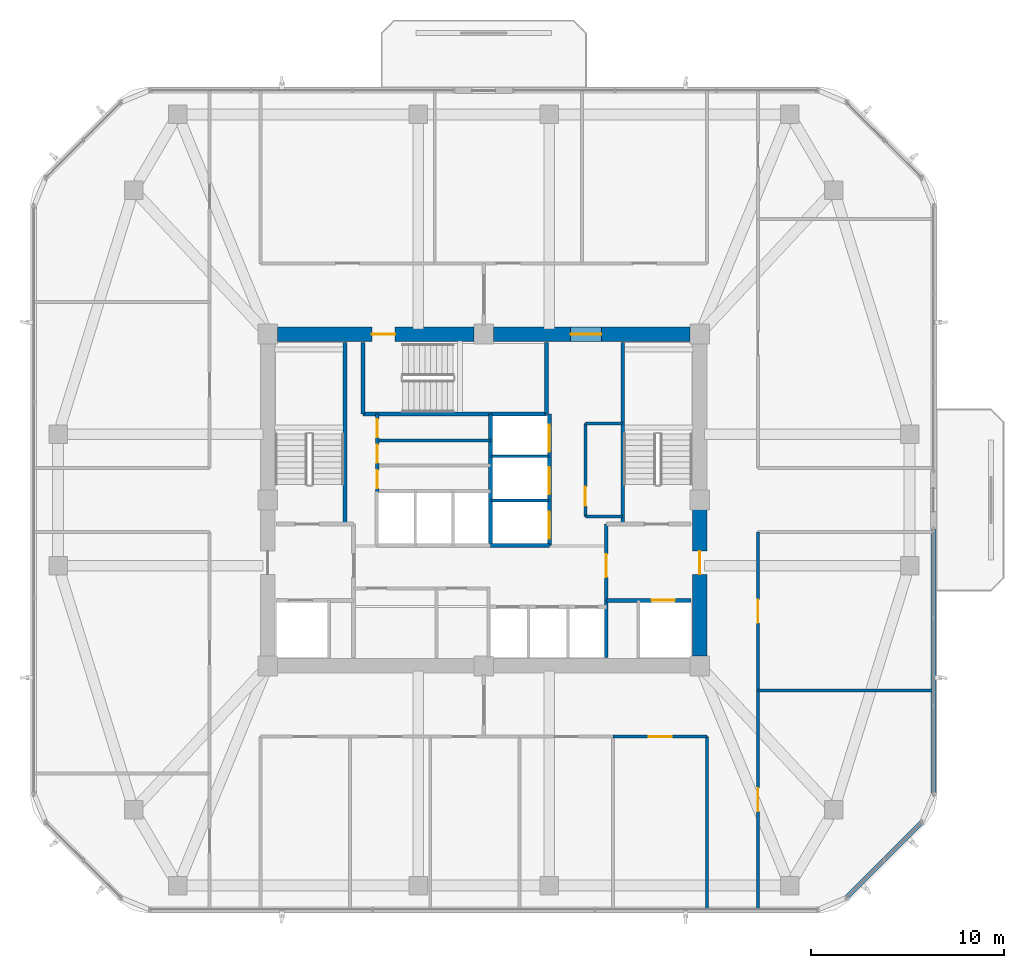
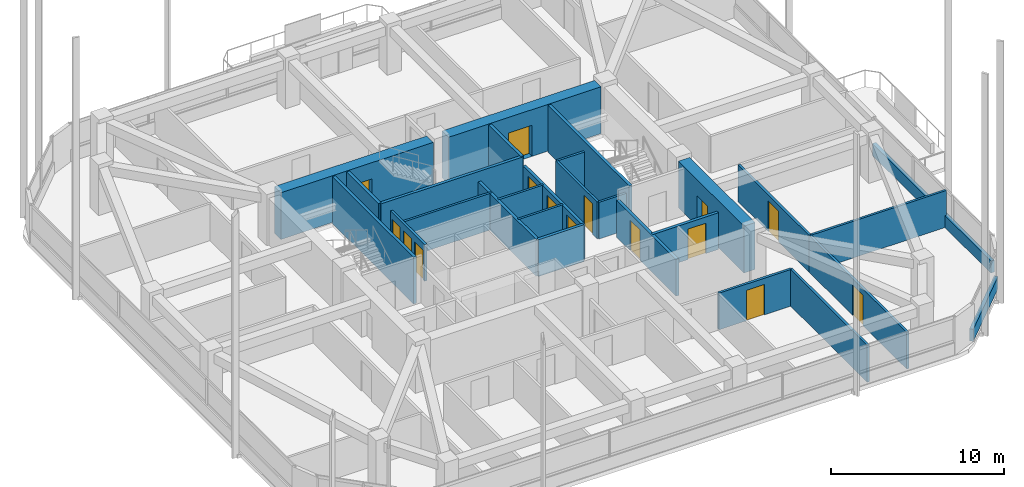
# One storey, part 9 of 14: 27 walls, 15 doors, 15 openings.
"""IFC4 building model written with IfcOpenShell, lengths in metres."""

from ifc_helpers import new_model, si_unit, derived_unit, direction, frame, frame_2d, origin, place, context, subcontext, project, spatial, rectangle, extrude, material, layer, layer_set, type_object, element, fill, save


model = new_model("IFC4")

# Units and contexts
model_context = context("Model", 3, precision=1e-05, world=origin(), true_north=direction((0.0, 1.0)))
body_context = subcontext(model_context, "Body", "Model", "MODEL_VIEW")
ifc_project = project(units=[si_unit("LENGTHUNIT", "METRE"), si_unit("AREAUNIT", "SQUARE_METRE"), si_unit("VOLUMEUNIT", "CUBIC_METRE"), si_unit("PLANEANGLEUNIT", "RADIAN"), si_unit("MASSUNIT", "GRAM", prefix="KILO"), derived_unit("THERMALTRANSMITTANCEUNIT", [(si_unit("POWERUNIT", "WATT"), 1), (si_unit("LENGTHUNIT", "METRE"), -2), (si_unit("THERMODYNAMICTEMPERATUREUNIT", "KELVIN"), -1)])], contexts=[model_context])

# Site, building, storey
site_placement = place(None, origin())
site = spatial("IfcSite", under=ifc_project, at=site_placement, CompositionType="ELEMENT")
building_placement = place(site_placement, origin())
building = spatial("IfcBuilding", under=site, at=building_placement, Name="Koralith Skygarden Medical Center", CompositionType="ELEMENT")
storey_placement = place(building_placement, frame((0.0, 0.0, 174.419921875)))
storey = spatial("IfcBuildingStorey", under=building, at=storey_placement, Name="L45", CompositionType="ELEMENT", Elevation=174.419921875)

# Wall, opening, door
ifc_material_1 = material(Name="Gypsum Board Partition")
ifc_layer_1 = layer(ifc_material_1, 0.14990234375)
ifc_layer_set_1 = layer_set([ifc_layer_1], Name="Gypsum Board Partition")
wall_type_1 = type_object("IfcWallType", Name="Clinical Acoustic Partition 150", PredefinedType="PARTITIONING", material=ifc_layer_set_1)
wall_1_placement = place(storey_placement, frame((42.27001953125, 25.0400390625, 0.0), z_axis=(0.0, 0.0, 1.0), x_axis=(0.0, 1.0, 0.0)))
wall_1 = element("IfcWall", 1, at=wall_1_placement, inside=storey, type_object=wall_type_1, Name="L45 Clinical Acoustic Partition 150 W-CORE-L45-ESUB-W", PredefinedType="PARTITIONING", context=body_context, shape_type="SweptSolid", body=[
    extrude(rectangle(XDim=4.820068359375, YDim=0.14990234375, at=frame_2d((2.41015625, 0.0))), origin(), (0.0, 0.0, 1.0), 2.590087890625),
])
opening_1_placement = place(wall_1_placement, frame((0.550048828125, 0.0, 0.0)))
opening_1 = element("IfcOpeningElement", 2, at=opening_1_placement, cuts=wall_1, Name="Opening D-SUP", PredefinedType="OPENING", context=body_context, shape_type="SweptSolid", body=[
    extrude(rectangle(XDim=1.0, YDim=2.14990234375, at=frame_2d((0.5, 1.074951171875))), frame((0.0, 0.0849609375, 0.0), z_axis=(0.0, -1.0, 0.0), x_axis=(1.0, 0.0, 0.0)), (0.0, 0.0, 1.0), 0.169921875),
])
ifc_material_2 = material(Name="Aluminium 6063-T6", Category="aluminium")
door_type_1 = type_object("IfcDoorType", Name="Clinical Support Door D-SUP 1000", OperationType="NOTDEFINED", PredefinedType="DOOR", material=ifc_material_2)
door_1_placement = place(opening_1_placement, origin())
door_1 = element("IfcDoor", 3, at=door_1_placement, inside=storey, type_object=door_type_1, Name="L45 Core Equipment Store Door", OperationType="SINGLE_SWING_LEFT", OverallHeight=2.14990234375, OverallWidth=1.0, PredefinedType="DOOR", context=body_context, shape_type="SweptSolid", body=[
    extrude(rectangle(XDim=1.0, YDim=2.14990234375, at=frame_2d((0.5, 1.074951171875))), frame((0.0, 0.02490234375, 0.0), z_axis=(0.0, -1.0, 0.0), x_axis=(1.0, 0.0, 0.0)), (0.0, 0.0, 1.0), 0.050048828125),
])
fill(opening_1, door_1)

# Walls
for number, where, z_axis, x_axis, name in (
    (4, (42.27001953125, 25.0400390625, 0.0), (0.0, 0.0, 1.0), (1.0, 0.0, 0.0), "L45 Clinical Acoustic Partition 150 W-CORE-L45-ESUB-S"),
    (5, (42.27001953125, 29.860107421875, 0.0), (0.0, 0.0, 1.0), (1.0, 0.0, 0.0), "L45 Clinical Acoustic Partition 150 W-CORE-L45-ESUB-N"),
):
    element("IfcWall", number, at=place(storey_placement, frame(where, z_axis=z_axis, x_axis=x_axis)), inside=storey, type_object=wall_type_1, Name=name, PredefinedType="PARTITIONING", context=body_context, shape_type="SweptSolid", body=[
        extrude(rectangle(XDim=1.929931640625, YDim=0.14990234375, at=frame_2d((0.96484375, 0.0))), origin(), (0.0, 0.0, 1.0), 2.590087890625),
    ])
wall_2_placement = place(storey_placement, frame((31.47998046875, 28.97998046875, 0.0), z_axis=(0.0, 0.0, 1.0), x_axis=(1.0, 0.0, 0.0)))
element("IfcWall", 6, at=wall_2_placement, inside=storey, type_object=wall_type_1, Name="L45 Clinical Acoustic Partition 150 W-CORE-L45-FLEX-H1B", PredefinedType="PARTITIONING", context=body_context, shape_type="SweptSolid", body=[
    extrude(rectangle(XDim=5.89013671875, YDim=0.14990234375, at=frame_2d((2.945068359375, 0.0))), origin(), (0.0, 0.0, 1.0), 2.590087890625),
])
wall_3_placement = place(storey_placement, frame((51.2099609375, 16.032958984375, 0.0), z_axis=(0.0, 0.0, 1.0), x_axis=(1.0, 0.0, 0.0)))
element("IfcWall", 7, at=wall_3_placement, inside=storey, type_object=wall_type_1, Name="L45 Clinical Acoustic Partition 150 W-PART-L45-ES-01", PredefinedType="PARTITIONING", context=body_context, shape_type="SweptSolid", body=[
    extrude(rectangle(XDim=9.073974609375, YDim=0.14990234375, at=frame_2d((4.537109375, 0.0))), origin(), (0.0, 0.0, 1.0), 2.590087890625),
])
ifc_layer_2 = layer(ifc_material_1, 0.1650390625)
ifc_layer_set_2 = layer_set([ifc_layer_2], Name="Gypsum Board Partition")
wall_type_2 = type_object("IfcWallType", Name="Clinical Corridor Partition 165", PredefinedType="PARTITIONING", material=ifc_layer_set_2)
wall_4_placement = place(storey_placement, frame((48.570068359375, 4.699951171875, 0.0), z_axis=(0.0, 0.0, 1.0), x_axis=(0.0, 1.0, 0.0)))
element("IfcWall", 8, at=wall_4_placement, inside=storey, type_object=wall_type_2, Name="L45 Clinical Corridor Partition 165 W-HCOR-L45-SE", PredefinedType="PARTITIONING", context=body_context, shape_type="SweptSolid", body=[
    extrude(rectangle(XDim=8.93994140625, YDim=0.1650390625, at=frame_2d((4.469970703125, 0.0))), origin(), (0.0, 0.0, 1.0), 2.590087890625),
])

# Wall, opening, door
wall_5_placement = place(storey_placement, frame((43.705078125, 13.639892578125, 0.0), z_axis=(0.0, 0.0, 1.0), x_axis=(1.0, 0.0, 0.0)))
wall_5 = element("IfcWall", 9, at=wall_5_placement, inside=storey, type_object=wall_type_2, Name="L45 Clinical Corridor Partition 165 W-CORR-L45-S-05", PredefinedType="PARTITIONING", context=body_context, shape_type="SweptSolid", body=[
    extrude(rectangle(XDim=4.864990234375, YDim=0.1650390625, at=frame_2d((2.4326171875, 0.0))), origin(), (0.0, 0.0, 1.0), 2.590087890625),
])
opening_2_placement = place(wall_5_placement, frame((1.8330078125, 0.0, 0.0)))
opening_2 = element("IfcOpeningElement", 10, at=opening_2_placement, cuts=wall_5, Name="Opening D-CLN", PredefinedType="OPENING", context=body_context, shape_type="SweptSolid", body=[
    extrude(rectangle(XDim=1.199951171875, YDim=2.14990234375, at=frame_2d((0.60009765625, 1.074951171875))), frame((0.0, 0.092529296875, 0.0), z_axis=(0.0, -1.0, 0.0), x_axis=(1.0, 0.0, 0.0)), (0.0, 0.0, 1.0), 0.18505859375),
])
door_type_2 = type_object("IfcDoorType", Name="Clinical Corridor Door D-CLN 1200", OperationType="NOTDEFINED", PredefinedType="DOOR", material=ifc_material_2)
door_2_placement = place(opening_2_placement, frame((1.199951171875, 0.0, 0.0), z_axis=(0.0, 0.0, 1.0), x_axis=(-1.0, 0.0, 0.0)))
door_2 = element("IfcDoor", 11, at=door_2_placement, inside=storey, type_object=door_type_2, Name="L45 Sterile Pack Store 08 Door", OperationType="SINGLE_SWING_LEFT", OverallHeight=2.14990234375, OverallWidth=1.199951171875, PredefinedType="DOOR", context=body_context, shape_type="SweptSolid", body=[
    extrude(rectangle(XDim=1.199951171875, YDim=2.14990234375, at=frame_2d((0.60009765625, 1.074951171875))), frame((0.0, 0.02490234375, 0.0), z_axis=(0.0, -1.0, 0.0), x_axis=(1.0, 0.0, 0.0)), (0.0, 0.0, 1.0), 0.050048828125),
])
fill(opening_2, door_2)

wall_6_placement = place(storey_placement, frame((51.2099609375, 4.699951171875, 0.0), z_axis=(0.0, 0.0, 1.0), x_axis=(0.0, 1.0, 0.0)))
wall_6 = element("IfcWall", 12, at=wall_6_placement, inside=storey, type_object=wall_type_2, Name="L45 Clinical Corridor Partition 165 W-CORR-L45-ES-01", PredefinedType="PARTITIONING", context=body_context, shape_type="SweptSolid", body=[
    extrude(rectangle(XDim=11.3330078125, YDim=0.1650390625, at=frame_2d((5.66650390625, 0.0))), origin(), (0.0, 0.0, 1.0), 2.590087890625),
])
opening_3_placement = place(wall_6_placement, frame((5.06689453125, 0.0, 0.0)))
opening_3 = element("IfcOpeningElement", 13, at=opening_3_placement, cuts=wall_6, Name="Opening D-CLN", PredefinedType="OPENING", context=body_context, shape_type="SweptSolid", body=[
    extrude(rectangle(XDim=1.199951171875, YDim=2.14990234375, at=frame_2d((0.60009765625, 1.074951171875))), frame((0.0, 0.092529296875, 0.0), z_axis=(0.0, -1.0, 0.0), x_axis=(1.0, 0.0, 0.0)), (0.0, 0.0, 1.0), 0.18505859375),
])
door_3_placement = place(opening_3_placement, origin())
door_3 = element("IfcDoor", 14, at=door_3_placement, inside=storey, type_object=door_type_2, Name="L45 Chief Resident Office 13 Door", OperationType="SINGLE_SWING_RIGHT", OverallHeight=2.14990234375, OverallWidth=1.199951171875, PredefinedType="DOOR", context=body_context, shape_type="SweptSolid", body=[
    extrude(rectangle(XDim=1.199951171875, YDim=2.14990234375, at=frame_2d((0.60009765625, 1.074951171875))), frame((0.0, 0.02490234375, 0.0), z_axis=(0.0, -1.0, 0.0), x_axis=(1.0, 0.0, 0.0)), (0.0, 0.0, 1.0), 0.050048828125),
])
fill(opening_3, door_3)

wall_7_placement = place(storey_placement, frame((51.2099609375, 16.032958984375, 0.0), z_axis=(0.0, 0.0, 1.0), x_axis=(0.0, 1.0, 0.0)))
wall_7 = element("IfcWall", 15, at=wall_7_placement, inside=storey, type_object=wall_type_2, Name="L45 Clinical Corridor Partition 165 W-CORR-L45-ES-02", PredefinedType="PARTITIONING", context=body_context, shape_type="SweptSolid", body=[
    extrude(rectangle(XDim=8.20703125, YDim=0.1650390625, at=frame_2d((4.103515625, 0.0))), origin(), (0.0, 0.0, 1.0), 2.590087890625),
])
opening_4_placement = place(wall_7_placement, frame((3.5029296875, 0.0, 0.0)))
opening_4 = element("IfcOpeningElement", 16, at=opening_4_placement, cuts=wall_7, Name="Opening D-CLN", PredefinedType="OPENING", context=body_context, shape_type="SweptSolid", body=[
    extrude(rectangle(XDim=1.199951171875, YDim=2.14990234375, at=frame_2d((0.60009765625, 1.074951171875))), frame((0.0, 0.092529296875, 0.0), z_axis=(0.0, -1.0, 0.0), x_axis=(1.0, 0.0, 0.0)), (0.0, 0.0, 1.0), 0.18505859375),
])
door_4_placement = place(opening_4_placement, origin())
door_4 = element("IfcDoor", 17, at=door_4_placement, inside=storey, type_object=door_type_2, Name="L45 Surgical Morbidity Seminar Room 14 Door", OperationType="SINGLE_SWING_LEFT", OverallHeight=2.14990234375, OverallWidth=1.199951171875, PredefinedType="DOOR", context=body_context, shape_type="SweptSolid", body=[
    extrude(rectangle(XDim=1.199951171875, YDim=2.14990234375, at=frame_2d((0.60009765625, 1.074951171875))), frame((0.0, 0.02490234375, 0.0), z_axis=(0.0, -1.0, 0.0), x_axis=(1.0, 0.0, 0.0)), (0.0, 0.0, 1.0), 0.050048828125),
])
fill(opening_4, door_4)

ifc_layer_3 = layer(ifc_material_1, 0.199951171875)
ifc_layer_set_3 = layer_set([ifc_layer_3], Name="Gypsum Board Partition")
wall_type_3 = type_object("IfcWallType", Name="Fire Shaft Wall 200", PredefinedType="SOLIDWALL", material=ifc_layer_set_3)
wall_8_placement = place(storey_placement, frame((43.35009765625, 20.699951171875, 0.0), z_axis=(0.0, 0.0, 1.0), x_axis=(1.0, 0.0, 0.0)))
wall_8 = element("IfcWall", 18, at=wall_8_placement, inside=storey, type_object=wall_type_3, Name="L45 Fire Shaft Wall 200 W-CORE-L45-FF2-N", PredefinedType="SOLIDWALL", context=body_context, shape_type="SweptSolid", body=[
    extrude(rectangle(XDim=4.39990234375, YDim=0.199951171875, at=frame_2d((2.199951171875, 0.0))), origin(), (0.0, 0.0, 1.0), 2.590087890625),
])
opening_5_placement = place(wall_8_placement, frame((2.35009765625, 0.0, 0.0)))
opening_5 = element("IfcOpeningElement", 19, at=opening_5_placement, cuts=wall_8, Name="Opening LD-FF", PredefinedType="OPENING", context=body_context, shape_type="SweptSolid", body=[
    extrude(rectangle(XDim=1.199951171875, YDim=2.14990234375, at=frame_2d((0.60009765625, 1.074951171875))), frame((0.0, 0.10986328125, 0.0), z_axis=(0.0, -1.0, 0.0), x_axis=(1.0, 0.0, 0.0)), (0.0, 0.0, 1.0), 0.219970703125),
])
ifc_material_3 = material(Name="Steel ASTM A500 Grade C", Category="steel")
door_type_3 = type_object("IfcDoorType", Name="Fire Lift Sliding Landing Door LD-FF 1200", OperationType="NOTDEFINED", PredefinedType="DOOR", material=ifc_material_3)
door_5_placement = place(opening_5_placement, origin())
door_5 = element("IfcDoor", 20, at=door_5_placement, inside=storey, type_object=door_type_3, Name="L45 Fire Service Elevator FF2 Landing Door", OperationType="SLIDING_TO_RIGHT", OverallHeight=2.14990234375, OverallWidth=1.199951171875, PredefinedType="DOOR", context=body_context, shape_type="SweptSolid", body=[
    extrude(rectangle(XDim=1.199951171875, YDim=2.14990234375, at=frame_2d((0.60009765625, 1.074951171875))), frame((0.0, 0.02490234375, 0.0), z_axis=(0.0, -1.0, 0.0), x_axis=(1.0, 0.0, 0.0)), (0.0, 0.0, 1.0), 0.050048828125),
])
fill(opening_5, door_5)

wall_9_placement = place(storey_placement, frame((43.35009765625, 17.75, 0.0), z_axis=(0.0, 0.0, 1.0), x_axis=(0.0, 1.0, 0.0)))
wall_9 = element("IfcWall", 21, at=wall_9_placement, inside=storey, type_object=wall_type_3, Name="L45 Fire Shaft Wall 200 W-CORE-L45-FSAEE-W", PredefinedType="SOLIDWALL", context=body_context, shape_type="SweptSolid", body=[
    extrude(rectangle(XDim=6.89990234375, YDim=0.199951171875, at=frame_2d((3.449951171875, 0.0))), origin(), (0.0, 0.0, 1.0), 2.590087890625),
])
opening_6_placement = place(wall_9_placement, frame((4.14990234375, 0.0, 0.0)))
opening_6 = element("IfcOpeningElement", 22, at=opening_6_placement, cuts=wall_9, Name="Opening D-ST60", PredefinedType="OPENING", context=body_context, shape_type="SweptSolid", body=[
    extrude(rectangle(XDim=1.199951171875, YDim=2.14990234375, at=frame_2d((0.60009765625, 1.074951171875))), frame((0.0, 0.10986328125, 0.0), z_axis=(0.0, -1.0, 0.0), x_axis=(1.0, 0.0, 0.0)), (0.0, 0.0, 1.0), 0.219970703125),
])
door_type_4 = type_object("IfcDoorType", Name="Smokeproof Stair Fire Door FD60S 1200", OperationType="NOTDEFINED", PredefinedType="DOOR", material=ifc_material_3)
door_6_placement = place(opening_6_placement, frame((1.199951171875, 0.0, 0.0), z_axis=(0.0, 0.0, 1.0), x_axis=(-1.0, 0.0, 0.0)))
door_6 = element("IfcDoor", 23, at=door_6_placement, inside=storey, type_object=door_type_4, Name="L45 East Firefighting Lobby Inner Fire Door", OperationType="SINGLE_SWING_RIGHT", OverallHeight=2.14990234375, OverallWidth=1.199951171875, PredefinedType="DOOR", context=body_context, shape_type="SweptSolid", body=[
    extrude(rectangle(XDim=1.199951171875, YDim=2.14990234375, at=frame_2d((0.60009765625, 1.074951171875))), frame((0.0, 0.02490234375, 0.0), z_axis=(0.0, -1.0, 0.0), x_axis=(1.0, 0.0, 0.0)), (0.0, 0.0, 1.0), 0.050048828125),
])
fill(opening_6, door_6)

# Walls
wall_10_placement = place(storey_placement, frame((37.35009765625, 23.5400390625, 0.0), z_axis=(0.0, 0.0, 1.0), x_axis=(0.0, 1.0, 0.0)))
element("IfcWall", 24, at=wall_10_placement, inside=storey, type_object=wall_type_3, Name="L45 Fire Shaft Wall 200 W-CORE-L45-SV-W", PredefinedType="SOLIDWALL", context=body_context, shape_type="SweptSolid", body=[
    extrude(rectangle(XDim=6.820068359375, YDim=0.199951171875, at=frame_2d((3.41015625, 0.0))), origin(), (0.0, 0.0, 1.0), 2.590087890625),
])
wall_11_placement = place(storey_placement, frame((37.35009765625, 23.5400390625, 0.0), z_axis=(0.0, 0.0, 1.0), x_axis=(1.0, 0.0, 0.0)))
element("IfcWall", 25, at=wall_11_placement, inside=storey, type_object=wall_type_3, Name="L45 Fire Shaft Wall 200 W-CORE-L45-SV-S", PredefinedType="SOLIDWALL", context=body_context, shape_type="SweptSolid", body=[
    extrude(rectangle(XDim=3.0498046875, YDim=0.199951171875, at=frame_2d((1.52490234375, 0.0))), origin(), (0.0, 0.0, 1.0), 2.590087890625),
])

# Wall, openings, doors
wall_12_placement = place(storey_placement, frame((40.39990234375, 23.5400390625, 0.0), z_axis=(0.0, 0.0, 1.0), x_axis=(0.0, 1.0, 0.0)))
wall_12 = element("IfcWall", 26, at=wall_12_placement, inside=storey, type_object=wall_type_3, Name="L45 Fire Shaft Wall 200 W-CORE-L45-SV-E", PredefinedType="SOLIDWALL", context=body_context, shape_type="SweptSolid", body=[
    extrude(rectangle(XDim=6.820068359375, YDim=0.199951171875, at=frame_2d((3.41015625, 0.0))), origin(), (0.0, 0.0, 1.0), 2.590087890625),
])
opening_7_placement = place(wall_12_placement, frame((0.35009765625, 0.0, 0.0)))
opening_7 = element("IfcOpeningElement", 27, at=opening_7_placement, cuts=wall_12, Name="Opening LD-SV", PredefinedType="OPENING", context=body_context, shape_type="SweptSolid", body=[
    extrude(rectangle(XDim=1.39990234375, YDim=2.199951171875, at=frame_2d((0.699951171875, 1.10009765625))), frame((0.0, 0.10986328125, 0.0), z_axis=(0.0, -1.0, 0.0), x_axis=(1.0, 0.0, 0.0)), (0.0, 0.0, 1.0), 0.219970703125),
])
opening_8_placement = place(wall_12_placement, frame((2.64990234375, 0.0, 0.0)))
opening_8 = element("IfcOpeningElement", 28, at=opening_8_placement, cuts=wall_12, Name="Opening LD-SV", PredefinedType="OPENING", context=body_context, shape_type="SweptSolid", body=[
    extrude(rectangle(XDim=1.39990234375, YDim=2.199951171875, at=frame_2d((0.699951171875, 1.10009765625))), frame((0.0, 0.10986328125, 0.0), z_axis=(0.0, -1.0, 0.0), x_axis=(1.0, 0.0, 0.0)), (0.0, 0.0, 1.0), 0.219970703125),
])
opening_9_placement = place(wall_12_placement, frame((4.85009765625, 0.0, 0.0)))
opening_9 = element("IfcOpeningElement", 29, at=opening_9_placement, cuts=wall_12, Name="Opening LD-SV", PredefinedType="OPENING", context=body_context, shape_type="SweptSolid", body=[
    extrude(rectangle(XDim=1.39990234375, YDim=2.199951171875, at=frame_2d((0.699951171875, 1.10009765625))), frame((0.0, 0.10986328125, 0.0), z_axis=(0.0, -1.0, 0.0), x_axis=(1.0, 0.0, 0.0)), (0.0, 0.0, 1.0), 0.219970703125),
])
door_type_5 = type_object("IfcDoorType", Name="Bed Lift Sliding Landing Door LD-SV 1400", OperationType="NOTDEFINED", PredefinedType="DOOR", material=ifc_material_3)
door_7_placement = place(opening_7_placement, origin())
door_7 = element("IfcDoor", 30, at=door_7_placement, inside=storey, type_object=door_type_5, Name="L45 Bed Elevator BD1 Landing Door", OperationType="SLIDING_TO_LEFT", OverallHeight=2.199951171875, OverallWidth=1.39990234375, PredefinedType="DOOR", context=body_context, shape_type="SweptSolid", body=[
    extrude(rectangle(XDim=1.39990234375, YDim=2.199951171875, at=frame_2d((0.699951171875, 1.10009765625))), frame((0.0, 0.02490234375, 0.0), z_axis=(0.0, -1.0, 0.0), x_axis=(1.0, 0.0, 0.0)), (0.0, 0.0, 1.0), 0.050048828125),
])
fill(opening_7, door_7)
door_8_placement = place(opening_8_placement, origin())
door_8 = element("IfcDoor", 31, at=door_8_placement, inside=storey, type_object=door_type_5, Name="L45 Service Elevator BD2 Landing Door", OperationType="SLIDING_TO_LEFT", OverallHeight=2.199951171875, OverallWidth=1.39990234375, PredefinedType="DOOR", context=body_context, shape_type="SweptSolid", body=[
    extrude(rectangle(XDim=1.39990234375, YDim=2.199951171875, at=frame_2d((0.699951171875, 1.10009765625))), frame((0.0, 0.02490234375, 0.0), z_axis=(0.0, -1.0, 0.0), x_axis=(1.0, 0.0, 0.0)), (0.0, 0.0, 1.0), 0.050048828125),
])
fill(opening_8, door_8)
door_9_placement = place(opening_9_placement, origin())
door_9 = element("IfcDoor", 32, at=door_9_placement, inside=storey, type_object=door_type_5, Name="L45 Trauma Elevator TR1 Landing Door", OperationType="SLIDING_TO_RIGHT", OverallHeight=2.199951171875, OverallWidth=1.39990234375, PredefinedType="DOOR", context=body_context, shape_type="SweptSolid", body=[
    extrude(rectangle(XDim=1.39990234375, YDim=2.199951171875, at=frame_2d((0.699951171875, 1.10009765625))), frame((0.0, 0.02490234375, 0.0), z_axis=(0.0, -1.0, 0.0), x_axis=(1.0, 0.0, 0.0)), (0.0, 0.0, 1.0), 0.050048828125),
])
fill(opening_9, door_9)

# Walls
ifc_material_4 = material(Name="Warm Oolitic Limestone Cladding", Category="masonry")
ifc_layer_4 = layer(ifc_material_4, 0.239990234375)
ifc_layer_set_4 = layer_set([ifc_layer_4], Name="Warm Oolitic Limestone Cladding")
wall_type_4 = type_object("IfcWallType", Name="Limestone Spandrel Sill Backup Wall 240", PredefinedType="SOLIDWALL", material=ifc_layer_set_4)
wall_13_placement = place(storey_placement, frame((55.780029296875, 5.281005859375, 0.0), z_axis=(0.0, 0.0, 1.0), x_axis=(0.707084777957, 0.707128783731, 0.0)))
element("IfcWall", 33, at=wall_13_placement, inside=storey, type_object=wall_type_4, Name="L45 Sill Spandrel SE", PredefinedType="SOLIDWALL", context=body_context, shape_type="SweptSolid", body=[
    extrude(rectangle(XDim=5.5478515625, YDim=0.239990234375, at=frame_2d((2.77392578125, 0.0))), origin(), (0.0, 0.0, 1.0), 0.85009765625),
])
wall_14_placement = place(storey_placement, frame((60.303955078125, 10.655029296875, 0.0), z_axis=(0.0, 0.0, 1.0), x_axis=(0.0, 1.0, 0.0)))
element("IfcWall", 34, at=wall_14_placement, inside=storey, type_object=wall_type_4, Name="L45 Sill Spandrel E-L", PredefinedType="SOLIDWALL", context=body_context, shape_type="SweptSolid", body=[
    extrude(rectangle(XDim=13.705078125, YDim=0.239990234375, at=frame_2d((6.8525390625, 0.0))), origin(), (0.0, 0.0, 1.0), 0.85009765625),
])

# Wall, opening, door
ifc_material_5 = material(Name="Concrete C70/85", Category="concrete")
ifc_layer_5 = layer(ifc_material_5, 0.75)
ifc_layer_set_5 = layer_set([ifc_layer_5], Name="Concrete C70/85")
wall_type_5 = type_object("IfcWallType", Name="Mid Core Shear Wall 750", PredefinedType="SHEAR", material=ifc_layer_set_5)
wall_15_placement = place(storey_placement, frame((48.199951171875, 17.804931640625, 0.0), z_axis=(0.0, 0.0, 1.0), x_axis=(0.0, 1.0, 0.0)))
wall_15 = element("IfcWall", 35, at=wall_15_placement, inside=storey, type_object=wall_type_5, Name="L45 Core Shear Wall Segment 3", PredefinedType="SHEAR", context=body_context, shape_type="SweptSolid", body=[
    extrude(rectangle(XDim=7.590087890625, YDim=0.75, at=frame_2d((3.794921875, 0.0))), origin(), (0.0, 0.0, 1.0), 3.300048828125),
])
opening_10_placement = place(wall_15_placement, frame((4.2451171875, 0.0, 0.0)))
opening_10 = element("IfcOpeningElement", 36, at=opening_10_placement, cuts=wall_15, Name="Opening D-ST60", PredefinedType="OPENING", context=body_context, shape_type="SweptSolid", body=[
    extrude(rectangle(XDim=1.199951171875, YDim=2.14990234375, at=frame_2d((0.60009765625, 1.074951171875))), frame((0.0, 0.385009765625, 0.0), z_axis=(0.0, -1.0, 0.0), x_axis=(1.0, 0.0, 0.0)), (0.0, 0.0, 1.0), 0.77001953125),
])
door_10_placement = place(opening_10_placement, frame((1.199951171875, 0.0, 0.0), z_axis=(0.0, 0.0, 1.0), x_axis=(-1.0, 0.0, 0.0)))
door_10 = element("IfcDoor", 37, at=door_10_placement, inside=storey, type_object=door_type_4, Name="L45 East Corridor to Firefighting Lobby Door", OperationType="SINGLE_SWING_RIGHT", OverallHeight=2.14990234375, OverallWidth=1.199951171875, PredefinedType="DOOR", context=body_context, shape_type="SweptSolid", body=[
    extrude(rectangle(XDim=1.199951171875, YDim=2.14990234375, at=frame_2d((0.60009765625, 1.074951171875))), frame((0.0, 0.02490234375, 0.0), z_axis=(0.0, -1.0, 0.0), x_axis=(1.0, 0.0, 0.0)), (0.0, 0.0, 1.0), 0.050048828125),
])
fill(opening_10, door_10)

wall_16_placement = place(storey_placement, frame((47.695068359375, 34.5, 0.0), z_axis=(0.0, 0.0, 1.0), x_axis=(-1.0, 0.0, 0.0)))
wall_16 = element("IfcWall", 38, at=wall_16_placement, inside=storey, type_object=wall_type_5, Name="L45 Core Shear Wall Segment 5", PredefinedType="SHEAR", context=body_context, shape_type="SweptSolid", body=[
    extrude(rectangle(XDim=10.190185546875, YDim=0.75, at=frame_2d((5.09521484375, 0.0))), origin(), (0.0, 0.0, 1.0), 3.300048828125),
])
opening_11_placement = place(wall_16_placement, frame((4.594970703125, 0.0, 0.0)))
opening_11 = element("IfcOpeningElement", 39, at=opening_11_placement, cuts=wall_16, Name="Opening D-DBL", PredefinedType="OPENING", context=body_context, shape_type="SweptSolid", body=[
    extrude(rectangle(XDim=1.60009765625, YDim=2.199951171875, at=frame_2d((0.800048828125, 1.10009765625))), frame((0.0, 0.385009765625, 0.0), z_axis=(0.0, -1.0, 0.0), x_axis=(1.0, 0.0, 0.0)), (0.0, 0.0, 1.0), 0.77001953125),
])
door_type_6 = type_object("IfcDoorType", Name="Double Clinical Suite Door D-DBL 1600", OperationType="NOTDEFINED", PredefinedType="DOOR", material=ifc_material_2)
door_11_placement = place(opening_11_placement, frame((1.60009765625, 0.0, 0.0), z_axis=(0.0, 0.0, 1.0), x_axis=(-1.0, 0.0, 0.0)))
door_11 = element("IfcDoor", 40, at=door_11_placement, inside=storey, type_object=door_type_6, Name="L45 North-East Corridor to Elevator Lobby Door", OperationType="DOUBLE_DOOR_SINGLE_SWING", OverallHeight=2.199951171875, OverallWidth=1.60009765625, PredefinedType="DOOR", context=body_context, shape_type="SweptSolid", body=[
    extrude(rectangle(XDim=1.60009765625, YDim=2.199951171875, at=frame_2d((0.800048828125, 1.10009765625))), frame((0.0, 0.02490234375, 0.0), z_axis=(0.0, -1.0, 0.0), x_axis=(1.0, 0.0, 0.0)), (0.0, 0.0, 1.0), 0.050048828125),
])
fill(opening_11, door_11)

wall_17_placement = place(storey_placement, frame((36.4951171875, 34.5, 0.0), z_axis=(0.0, 0.0, 1.0), x_axis=(-1.0, 0.0, 0.0)))
wall_17 = element("IfcWall", 41, at=wall_17_placement, inside=storey, type_object=wall_type_5, Name="L45 Core Shear Wall Segment 6", PredefinedType="SHEAR", context=body_context, shape_type="SweptSolid", body=[
    extrude(rectangle(XDim=10.190185546875, YDim=0.75, at=frame_2d((5.09521484375, 0.0))), origin(), (0.0, 0.0, 1.0), 3.300048828125),
])
opening_12_placement = place(wall_17_placement, frame((4.094970703125, 0.0, 0.0)))
opening_12 = element("IfcOpeningElement", 42, at=opening_12_placement, cuts=wall_17, Name="Opening D-ST60", PredefinedType="OPENING", context=body_context, shape_type="SweptSolid", body=[
    extrude(rectangle(XDim=1.199951171875, YDim=2.14990234375, at=frame_2d((0.60009765625, 1.074951171875))), frame((0.0, 0.385009765625, 0.0), z_axis=(0.0, -1.0, 0.0), x_axis=(1.0, 0.0, 0.0)), (0.0, 0.0, 1.0), 0.77001953125),
])
door_12_placement = place(opening_12_placement, frame((1.199951171875, 0.0, 0.0), z_axis=(0.0, 0.0, 1.0), x_axis=(-1.0, 0.0, 0.0)))
door_12 = element("IfcDoor", 43, at=door_12_placement, inside=storey, type_object=door_type_4, Name="L45 Exit Stair ST3 Fire Door", OperationType="SINGLE_SWING_LEFT", OverallHeight=2.14990234375, OverallWidth=1.199951171875, PredefinedType="DOOR", context=body_context, shape_type="SweptSolid", body=[
    extrude(rectangle(XDim=1.199951171875, YDim=2.14990234375, at=frame_2d((0.60009765625, 1.074951171875))), frame((0.0, 0.02490234375, 0.0), z_axis=(0.0, -1.0, 0.0), x_axis=(1.0, 0.0, 0.0)), (0.0, 0.0, 1.0), 0.050048828125),
])
fill(opening_12, door_12)

# Wall, openings, doors
ifc_layer_6 = layer(ifc_material_1, 0.1650390625)
ifc_layer_set_6 = layer_set([ifc_layer_6], Name="Gypsum Board Partition")
wall_type_6 = type_object("IfcWallType", Name="Plumbing Wet Wall 165", PredefinedType="PLUMBINGWALL", material=ifc_layer_set_6)
wall_18_placement = place(storey_placement, frame((31.47998046875, 26.320068359375, 0.0), z_axis=(0.0, 0.0, 1.0), x_axis=(0.0, 1.0, 0.0)))
wall_18 = element("IfcWall", 44, at=wall_18_placement, inside=storey, type_object=wall_type_6, Name="L45 Plumbing Wet Wall 165 W-CORE-L45-FLEX-W", PredefinedType="PLUMBINGWALL", context=body_context, shape_type="SweptSolid", body=[
    extrude(rectangle(XDim=4.0400390625, YDim=0.1650390625, at=frame_2d((2.02001953125, 0.0))), origin(), (0.0, 0.0, 1.0), 2.590087890625),
])
opening_13_placement = place(wall_18_placement, frame((0.179931640625, 0.0, 0.0)))
opening_13 = element("IfcOpeningElement", 45, at=opening_13_placement, cuts=wall_18, Name="Opening D-WC", PredefinedType="OPENING", context=body_context, shape_type="SweptSolid", body=[
    extrude(rectangle(XDim=0.949951171875, YDim=2.10009765625, at=frame_2d((0.47509765625, 1.050048828125))), frame((0.0, 0.092529296875, 0.0), z_axis=(0.0, -1.0, 0.0), x_axis=(1.0, 0.0, 0.0)), (0.0, 0.0, 1.0), 0.18505859375),
])
opening_14_placement = place(wall_18_placement, frame((1.5, 0.0, 0.0)))
opening_14 = element("IfcOpeningElement", 46, at=opening_14_placement, cuts=wall_18, Name="Opening D-WC", PredefinedType="OPENING", context=body_context, shape_type="SweptSolid", body=[
    extrude(rectangle(XDim=0.949951171875, YDim=2.10009765625, at=frame_2d((0.47509765625, 1.050048828125))), frame((0.0, 0.092529296875, 0.0), z_axis=(0.0, -1.0, 0.0), x_axis=(1.0, 0.0, 0.0)), (0.0, 0.0, 1.0), 0.18505859375),
])
opening_15_placement = place(wall_18_placement, frame((2.820068359375, 0.0, 0.0)))
opening_15 = element("IfcOpeningElement", 47, at=opening_15_placement, cuts=wall_18, Name="Opening D-WC", PredefinedType="OPENING", context=body_context, shape_type="SweptSolid", body=[
    extrude(rectangle(XDim=0.949951171875, YDim=2.10009765625, at=frame_2d((0.47509765625, 1.050048828125))), frame((0.0, 0.092529296875, 0.0), z_axis=(0.0, -1.0, 0.0), x_axis=(1.0, 0.0, 0.0)), (0.0, 0.0, 1.0), 0.18505859375),
])
door_type_7 = type_object("IfcDoorType", Name="Accessible Toilet Door D-WC 950", OperationType="NOTDEFINED", PredefinedType="DOOR", material=ifc_material_2)
door_13_placement = place(opening_13_placement, frame((0.949951171875, 0.0, 0.0), z_axis=(0.0, 0.0, 1.0), x_axis=(-1.0, 0.0, 0.0)))
door_13 = element("IfcDoor", 48, at=door_13_placement, inside=storey, type_object=door_type_7, Name="L45 Core Accessible WC Door", OperationType="SINGLE_SWING_LEFT", OverallHeight=2.10009765625, OverallWidth=0.949951171875, PredefinedType="DOOR", context=body_context, shape_type="SweptSolid", body=[
    extrude(rectangle(XDim=0.949951171875, YDim=2.10009765625, at=frame_2d((0.47509765625, 1.050048828125))), frame((0.0, 0.02490234375, 0.0), z_axis=(0.0, -1.0, 0.0), x_axis=(1.0, 0.0, 0.0)), (0.0, 0.0, 1.0), 0.050048828125),
])
fill(opening_13, door_13)
door_14_placement = place(opening_14_placement, frame((0.949951171875, 0.0, 0.0), z_axis=(0.0, 0.0, 1.0), x_axis=(-1.0, 0.0, 0.0)))
door_14 = element("IfcDoor", 49, at=door_14_placement, inside=storey, type_object=door_type_7, Name="L45 Staff Pantry Door", OperationType="SINGLE_SWING_LEFT", OverallHeight=2.10009765625, OverallWidth=0.949951171875, PredefinedType="DOOR", context=body_context, shape_type="SweptSolid", body=[
    extrude(rectangle(XDim=0.949951171875, YDim=2.10009765625, at=frame_2d((0.47509765625, 1.050048828125))), frame((0.0, 0.02490234375, 0.0), z_axis=(0.0, -1.0, 0.0), x_axis=(1.0, 0.0, 0.0)), (0.0, 0.0, 1.0), 0.050048828125),
])
fill(opening_14, door_14)
door_15_placement = place(opening_15_placement, frame((0.949951171875, 0.0, 0.0), z_axis=(0.0, 0.0, 1.0), x_axis=(-1.0, 0.0, 0.0)))
door_15 = element("IfcDoor", 50, at=door_15_placement, inside=storey, type_object=door_type_7, Name="L45 IT Comms Door", OperationType="SINGLE_SWING_RIGHT", OverallHeight=2.10009765625, OverallWidth=0.949951171875, PredefinedType="DOOR", context=body_context, shape_type="SweptSolid", body=[
    extrude(rectangle(XDim=0.949951171875, YDim=2.10009765625, at=frame_2d((0.47509765625, 1.050048828125))), frame((0.0, 0.02490234375, 0.0), z_axis=(0.0, -1.0, 0.0), x_axis=(1.0, 0.0, 0.0)), (0.0, 0.0, 1.0), 0.050048828125),
])
fill(opening_15, door_15)

# Walls
ifc_layer_7 = layer(ifc_material_1, 0.14990234375)
ifc_layer_set_7 = layer_set([ifc_layer_7], Name="Gypsum Board Partition")
wall_type_7 = type_object("IfcWallType", Name="Shaft Partition Wall 150", PredefinedType="PARTITIONING", material=ifc_layer_set_7)
for number, where, z_axis, x_axis, name in (
    (51, (37.3701171875, 25.8701171875, 0.0), (0.0, 0.0, 1.0), (1.0, 0.0, 0.0), "L45 Shaft Partition Wall 150 W-CORE-L45-SV-D1"),
    (52, (37.3701171875, 28.169921875, 0.0), (0.0, 0.0, 1.0), (1.0, 0.0, 0.0), "L45 Shaft Partition Wall 150 W-CORE-L45-SV-D2"),
):
    element("IfcWall", number, at=place(storey_placement, frame(where, z_axis=z_axis, x_axis=x_axis)), inside=storey, type_object=wall_type_7, Name=name, PredefinedType="PARTITIONING", context=body_context, shape_type="SweptSolid", body=[
        extrude(rectangle(XDim=3.009765625, YDim=0.14990234375, at=frame_2d((1.5048828125, 0.0))), origin(), (0.0, 0.0, 1.0), 2.590087890625),
    ])
ifc_material_6 = material(Name="Concrete C45/55", Category="concrete")
ifc_layer_8 = layer(ifc_material_6, 0.199951171875)
ifc_layer_set_8 = layer_set([ifc_layer_8], Name="Concrete C45/55")
wall_type_8 = type_object("IfcWallType", Name="Structural Stair Shaft Wall 200", PredefinedType="SHEAR", material=ifc_layer_set_8)
for number, where, z_axis, x_axis, name in (
    (53, (29.800048828125, 24.64990234375, 0.0), (0.0, 0.0, 1.0), (0.0, 1.0, 0.0), "L45 Structural Stair Shaft Wall 200 W-CORE-L45-ST1-E"),
    (54, (44.199951171875, 24.64990234375, 0.0), (0.0, 0.0, 1.0), (0.0, 1.0, 0.0), "L45 Structural Stair Shaft Wall 200 W-CORE-L45-ST2-W"),
):
    element("IfcWall", number, at=place(storey_placement, frame(where, z_axis=z_axis, x_axis=x_axis)), inside=storey, type_object=wall_type_8, Name=name, PredefinedType="SHEAR", context=body_context, shape_type="SweptSolid", body=[
        extrude(rectangle(XDim=9.400146484375, YDim=0.199951171875, at=frame_2d((4.7001953125, 0.0))), origin(), (0.0, 0.0, 1.0), 3.300048828125),
    ])
wall_19_placement = place(storey_placement, frame((30.75, 30.360107421875, 0.0), z_axis=(0.0, 0.0, 1.0), x_axis=(1.0, 0.0, 0.0)))
element("IfcWall", 55, at=wall_19_placement, inside=storey, type_object=wall_type_8, Name="L45 Structural Stair Shaft Wall 200 W-CORE-L45-ST3-S", PredefinedType="SHEAR", context=body_context, shape_type="SweptSolid", body=[
    extrude(rectangle(XDim=9.5, YDim=0.199951171875, at=frame_2d((4.75, 0.0))), origin(), (0.0, 0.0, 1.0), 3.300048828125),
])
for number, where, z_axis, x_axis, name in (
    (56, (30.75, 30.360107421875, 0.0), (0.0, 0.0, 1.0), (0.0, 1.0, 0.0), "L45 Structural Stair Shaft Wall 200 W-CORE-L45-ST3-W"),
    (57, (40.25, 30.360107421875, 0.0), (0.0, 0.0, 1.0), (0.0, 1.0, 0.0), "L45 Structural Stair Shaft Wall 200 W-CORE-L45-ST3-E"),
):
    element("IfcWall", number, at=place(storey_placement, frame(where, z_axis=z_axis, x_axis=x_axis)), inside=storey, type_object=wall_type_8, Name=name, PredefinedType="SHEAR", context=body_context, shape_type="SweptSolid", body=[
        extrude(rectangle(XDim=3.68994140625, YDim=0.199951171875, at=frame_2d((1.844970703125, 0.0))), origin(), (0.0, 0.0, 1.0), 3.300048828125),
    ])

save(model, "model.ifc")
